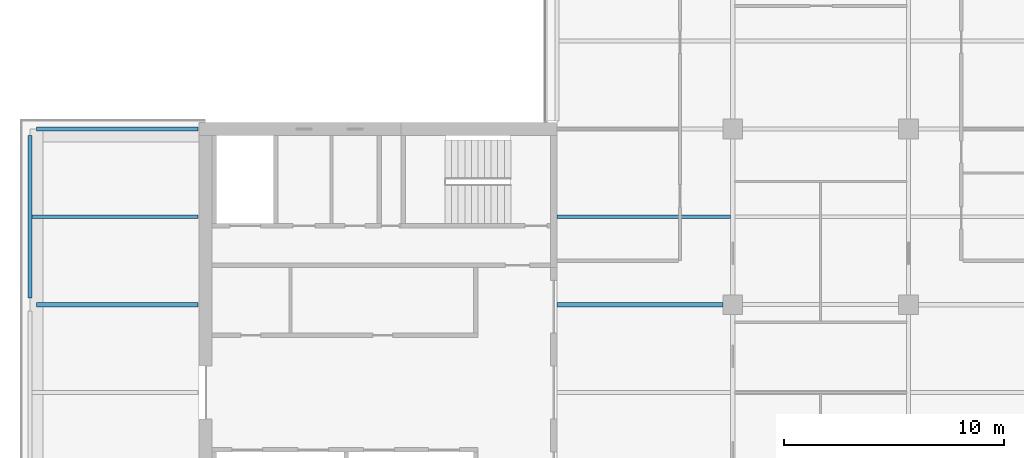
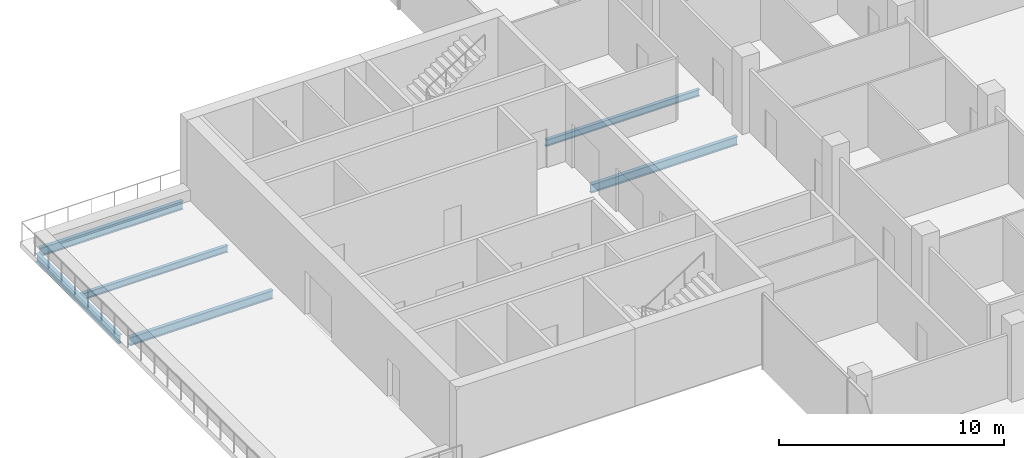
# One storey, part 6 of 18: 6 beams.
"""IFC4 building model written with IfcOpenShell, lengths in metres."""

from ifc_helpers import new_model, si_unit, direction, frame, origin, origin_2d, place, context, subcontext, project, spatial, i_section, extrude, material, material_profile, profile_set, type_object, element, save


model = new_model("IFC4")

# Units and contexts
model_context = context("Model", 3, precision=1e-05, world=origin(), true_north=direction((0.0, 1.0)))
body_context = subcontext(model_context, "Body", "Model", "MODEL_VIEW")
ifc_project = project(units=[si_unit("LENGTHUNIT", "METRE"), si_unit("AREAUNIT", "SQUARE_METRE"), si_unit("VOLUMEUNIT", "CUBIC_METRE"), si_unit("PLANEANGLEUNIT", "RADIAN"), si_unit("MASSUNIT", "GRAM", prefix="KILO")], contexts=[model_context])

# Site, building, storey
site_placement = place(None, origin())
site = spatial("IfcSite", under=ifc_project, at=site_placement, CompositionType="ELEMENT")
building_placement = place(site_placement, origin())
building = spatial("IfcBuilding", under=site, at=building_placement, Name="Crosswind Convention Tower", CompositionType="ELEMENT")
storey_placement = place(building_placement, frame((0.0, 0.0, 178.89990234375)))
storey = spatial("IfcBuildingStorey", under=building, at=storey_placement, Name="L37", CompositionType="ELEMENT", Elevation=178.89990234375)

# Beams
ifc_material = material(Name="Steel S355", Category="steel")
ifc_material_profile_1 = material_profile(ifc_material, i_section(OverallWidth=0.18994140625, OverallDepth=0.45361328125, WebThickness=0.008544921875, FlangeThickness=0.0126953125, FilletRadius=0.01025390625, at=origin_2d()), Name="UB 457x191x67")
ifc_profile_set_1 = profile_set([ifc_material_profile_1], Name="Steel S355")
beam_type_1 = type_object("IfcBeamType", Name="Edge beam UB 457x191x67", PredefinedType="SPANDREL", material=ifc_profile_set_1)
beam_1_placement = place(storey_placement, frame((89.0, 104.300048828125, -0.526611328125), z_axis=(0.0, 1.0, 0.0), x_axis=(-1.0, 0.0, 0.0)))
element("IfcBeam", 1, at=beam_1_placement, inside=storey, type_object=beam_type_1, Name="B16 L37 edge beam 3", PredefinedType="SPANDREL", context=body_context, shape_type="SweptSolid", body=[
    extrude(i_section(OverallWidth=0.18994140625, OverallDepth=0.45361328125, WebThickness=0.008544921875, FlangeThickness=0.0126953125, FilletRadius=0.01025390625, at=origin_2d()), origin(), (0.0, 0.0, 1.0), 7.39990234375),
])
beam_2_placement = place(storey_placement, frame((89.300048828125, 112.0, -0.526611328125), z_axis=(1.0, 0.0, 0.0), x_axis=(0.0, 1.0, 0.0)))
element("IfcBeam", 2, at=beam_2_placement, inside=storey, type_object=beam_type_1, Name="B16 L37 edge beam 5", PredefinedType="SPANDREL", context=body_context, shape_type="SweptSolid", body=[
    extrude(i_section(OverallWidth=0.18994140625, OverallDepth=0.45361328125, WebThickness=0.008544921875, FlangeThickness=0.0126953125, FilletRadius=0.01025390625, at=origin_2d()), origin(), (0.0, 0.0, 1.0), 7.349853515625),
])
ifc_material_profile_2 = material_profile(ifc_material, i_section(OverallWidth=0.19140625, OverallDepth=0.460205078125, WebThickness=0.010009765625, FlangeThickness=0.01611328125, FilletRadius=0.01025390625, at=origin_2d()), Name="UB 457x191x82")
ifc_profile_set_2 = profile_set([ifc_material_profile_2], Name="Steel S355")
beam_type_2 = type_object("IfcBeamType", Name="Girder at core wall UB 457x191x82", PredefinedType="BEAM", material=ifc_profile_set_2)
beam_3_placement = place(storey_placement, frame((89.300048828125, 104.0, -0.530029296875), z_axis=(1.0, 0.0, 0.0), x_axis=(0.0, 1.0, 0.0)))
element("IfcBeam", 3, at=beam_3_placement, inside=storey, type_object=beam_type_2, Name="B23 L37 girder at core wall 2", PredefinedType="BEAM", context=body_context, shape_type="SweptSolid", body=[
    extrude(i_section(OverallWidth=0.19140625, OverallDepth=0.460205078125, WebThickness=0.010009765625, FlangeThickness=0.01611328125, FilletRadius=0.01025390625, at=origin_2d()), origin(), (0.0, 0.0, 1.0), 7.349853515625),
])
beam_4_placement = place(storey_placement, frame((113.0, 104.0, -0.530029296875), z_axis=(1.0, 0.0, 0.0), x_axis=(0.0, 1.0, 0.0)))
element("IfcBeam", 4, at=beam_4_placement, inside=storey, type_object=beam_type_2, Name="B23 L37 girder at core wall 5", PredefinedType="BEAM", context=body_context, shape_type="SweptSolid", body=[
    extrude(i_section(OverallWidth=0.19140625, OverallDepth=0.460205078125, WebThickness=0.010009765625, FlangeThickness=0.01611328125, FilletRadius=0.01025390625, at=origin_2d()), origin(), (0.0, 0.0, 1.0), 7.550048828125),
])
ifc_material_profile_3 = material_profile(ifc_material, i_section(OverallWidth=0.172119140625, OverallDepth=0.358642578125, WebThickness=0.008056640625, FlangeThickness=0.012939453125, FilletRadius=0.01025390625, at=origin_2d()), Name="UB 356x171x57")
ifc_profile_set_3 = profile_set([ifc_material_profile_3], Name="Steel S355")
beam_type_3 = type_object("IfcBeamType", Name="Secondary beam UB 356x171x57", PredefinedType="JOIST", material=ifc_profile_set_3)
beam_5_placement = place(storey_placement, frame((89.094970703125, 108.0, -0.479248046875), z_axis=(1.0, 0.0, 0.0), x_axis=(0.0, 1.0, 0.0)))
element("IfcBeam", 5, at=beam_5_placement, inside=storey, type_object=beam_type_3, Name="B9 L37 secondary beam 3", PredefinedType="JOIST", context=body_context, shape_type="SweptSolid", body=[
    extrude(i_section(OverallWidth=0.172119140625, OverallDepth=0.358642578125, WebThickness=0.008056640625, FlangeThickness=0.012939453125, FilletRadius=0.01025390625, at=origin_2d()), origin(), (0.0, 0.0, 1.0), 7.554931640625),
])
beam_6_placement = place(storey_placement, frame((113.0, 108.0, -0.479248046875), z_axis=(1.0, 0.0, 0.0), x_axis=(0.0, 1.0, 0.0)))
element("IfcBeam", 6, at=beam_6_placement, inside=storey, type_object=beam_type_3, Name="B9 L37 secondary beam 6", PredefinedType="JOIST", context=body_context, shape_type="SweptSolid", body=[
    extrude(i_section(OverallWidth=0.172119140625, OverallDepth=0.358642578125, WebThickness=0.008056640625, FlangeThickness=0.012939453125, FilletRadius=0.01025390625, at=origin_2d()), origin(), (0.0, 0.0, 1.0), 7.90478515625),
])

save(model, "model.ifc")
